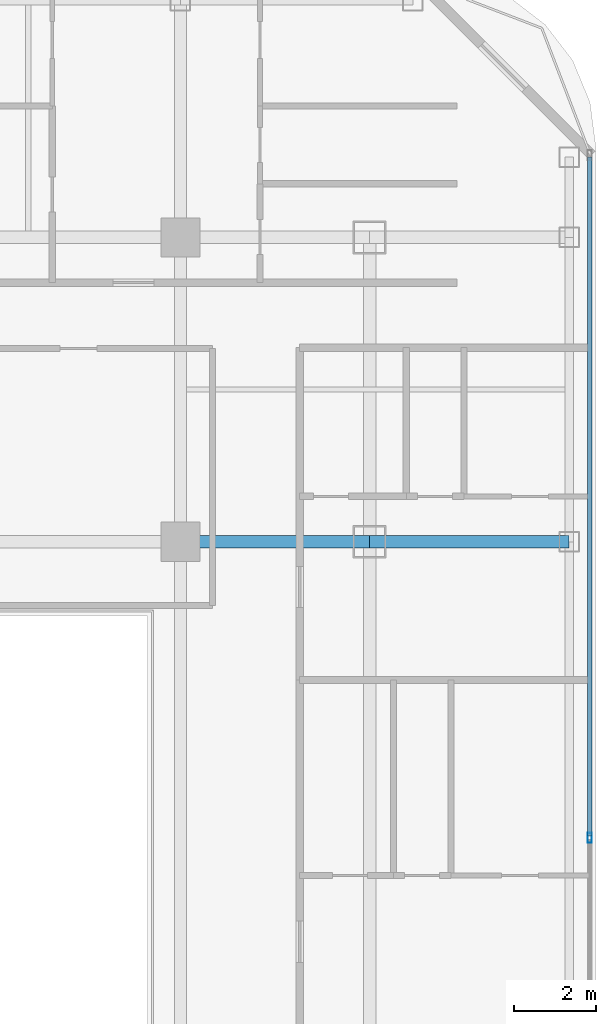
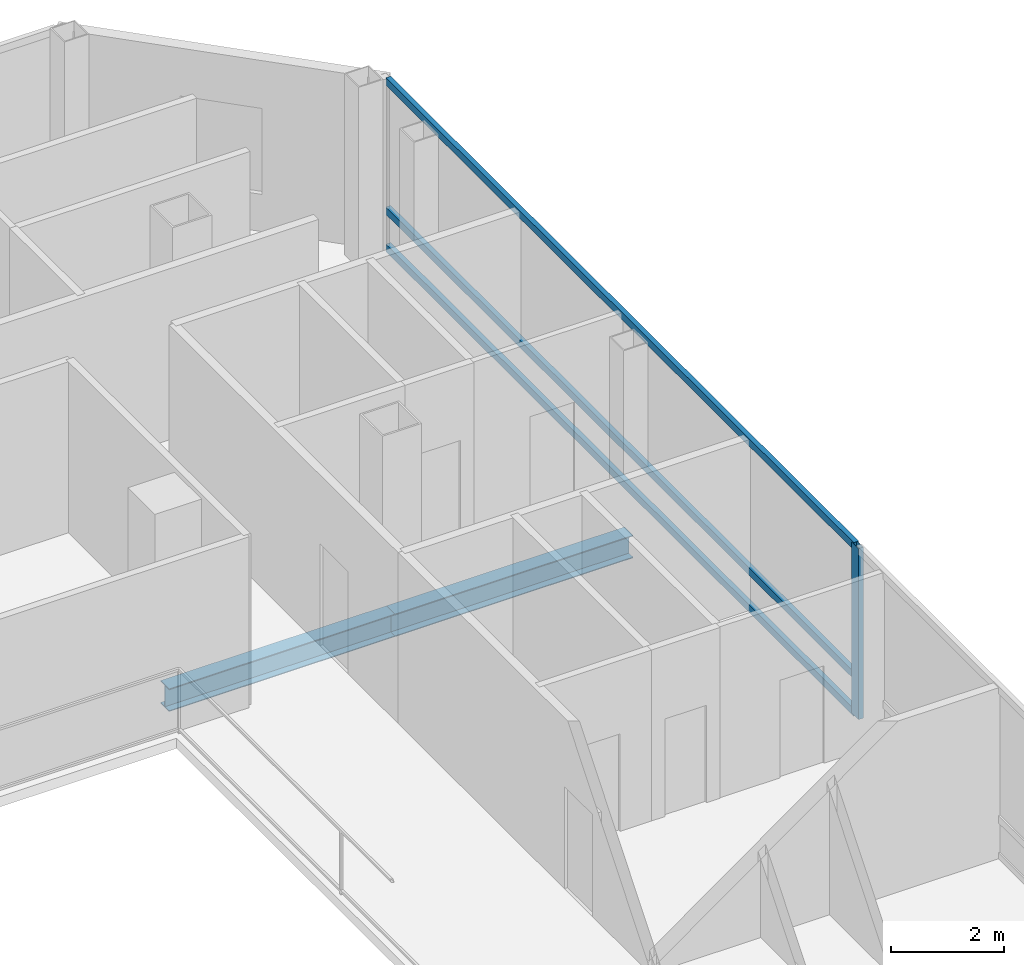
# One storey, part 10 of 24: 4 members, 2 beams, 1 element without a shape of its own.
"""IFC4 building model written with IfcOpenShell, lengths in metres."""

from ifc_helpers import new_model, si_unit, direction, frame, origin, origin_2d, place, context, subcontext, project, spatial, hollow_rectangle, i_section, extrude, material, layer, layer_set, material_profile, profile_set, type_object, element, aggregate, save


model = new_model("IFC4")

# Units and contexts
model_context = context("Model", 3, precision=1e-05, world=origin(), true_north=direction((0.0, 1.0)))
body_context = subcontext(model_context, "Body", "Model", "MODEL_VIEW")
ifc_project = project(units=[si_unit("LENGTHUNIT", "METRE"), si_unit("AREAUNIT", "SQUARE_METRE"), si_unit("VOLUMEUNIT", "CUBIC_METRE"), si_unit("PLANEANGLEUNIT", "RADIAN"), si_unit("MASSUNIT", "GRAM", prefix="KILO")], contexts=[model_context])

# Site, building, storey
site_placement = place(None, origin())
site = spatial("IfcSite", under=ifc_project, at=site_placement, CompositionType="ELEMENT")
building_placement = place(site_placement, origin())
building = spatial("IfcBuilding", under=site, at=building_placement, Name="Khorvyn Point Tower", CompositionType="ELEMENT")
storey_placement = place(building_placement, frame((0.0, 0.0, 266.39990234375)))
storey = spatial("IfcBuildingStorey", under=building, at=storey_placement, Name="L65", CompositionType="ELEMENT", Elevation=266.39990234375)

# Curtain wall, members
ifc_material_1 = material(Name="Anodised aluminium 6063-T6 and laminated Low-E glass", Category="aluminium")
ifc_layer = layer(ifc_material_1, 0.18994140625)
ifc_layer_set = layer_set([ifc_layer], Name="Stick-Built High-Wind Curtain Wall CW-SYS-04")
curtain_wall_type = type_object("IfcCurtainWallType", Name="Stick-Built High-Wind Curtain Wall CW-SYS-04", PredefinedType="NOTDEFINED", material=ifc_layer_set)
curtain_wall_placement = place(storey_placement, origin())
curtain_wall = element("IfcCurtainWall", 1, at=curtain_wall_placement, inside=storey, type_object=curtain_wall_type, Name="Curtain Wall", PredefinedType="NOTDEFINED")
ifc_material_2 = material(Name="Anodised aluminium 6063-T6", Category="aluminium")
ifc_material_profile_1 = material_profile(ifc_material_2, hollow_rectangle(XDim=0.10009765625, YDim=0.239990234375, WallThickness=0.0048828125, at=origin_2d()))
ifc_profile_set_1 = profile_set([ifc_material_profile_1], Name="Anodised aluminium 6063-T6 ALU-MUL-100x240")
member_type_1 = type_object("IfcMemberType", Name="Anodised Aluminium 6063-T6 Mullion ALU-MUL-100x240", PredefinedType="MULLION", material=ifc_profile_set_1)
member_1_placement = place(storey_placement, frame((24.75, 0.199951171875, 0.0), z_axis=(0.0, 0.0, 1.0), x_axis=(1.0, 0.0, 0.0)))
member_1 = element("IfcMember", 2, at=member_1_placement, type_object=member_type_1, Name="Transom", PredefinedType="MULLION", context=body_context, shape_type="SweptSolid", body=[
    extrude(hollow_rectangle(XDim=0.10009765625, YDim=0.239990234375, WallThickness=0.0048828125, at=origin_2d()), origin(), (0.0, 0.0, 1.0), 3.68017578125),
])
ifc_material_profile_2 = material_profile(ifc_material_2, hollow_rectangle(XDim=0.10009765625, YDim=0.159912109375, WallThickness=0.00439453125, at=origin_2d()))
ifc_profile_set_2 = profile_set([ifc_material_profile_2], Name="Anodised aluminium 6063-T6 ALU-TRN-100x160")
member_type_2 = type_object("IfcMemberType", Name="Anodised Aluminium 6063-T6 Transom ALU-TRN-100x160", PredefinedType="USERDEFINED", material=ifc_profile_set_2)
member_2_placement = place(storey_placement, frame((24.75, 16.75, 0.050048828125), z_axis=(0.0, -1.0, 0.0), x_axis=(1.0, 0.0, 0.0)))
member_2 = element("IfcMember", 3, at=member_2_placement, type_object=member_type_2, Name="Transom", ObjectType="TRANSOM", PredefinedType="USERDEFINED", context=body_context, shape_type="SweptSolid", body=[
    extrude(hollow_rectangle(XDim=0.10009765625, YDim=0.159912109375, WallThickness=0.00439453125, at=origin_2d()), origin(), (0.0, 0.0, 1.0), 16.5),
])
member_3_placement = place(storey_placement, frame((24.75, 16.75, 0.85009765625), z_axis=(0.0, -1.0, 0.0), x_axis=(1.0, 0.0, 0.0)))
member_3 = element("IfcMember", 4, at=member_3_placement, type_object=member_type_2, Name="Transom", ObjectType="TRANSOM", PredefinedType="USERDEFINED", context=body_context, shape_type="SweptSolid", body=[
    extrude(hollow_rectangle(XDim=0.10009765625, YDim=0.159912109375, WallThickness=0.00439453125, at=origin_2d()), origin(), (0.0, 0.0, 1.0), 16.5),
])
member_4_placement = place(storey_placement, frame((24.75, 16.75, 3.630126953125), z_axis=(0.0, -1.0, 0.0), x_axis=(1.0, 0.0, 0.0)))
member_4 = element("IfcMember", 5, at=member_4_placement, type_object=member_type_2, Name="Transom", ObjectType="TRANSOM", PredefinedType="USERDEFINED", context=body_context, shape_type="SweptSolid", body=[
    extrude(hollow_rectangle(XDim=0.10009765625, YDim=0.159912109375, WallThickness=0.00439453125, at=origin_2d()), origin(), (0.0, 0.0, 1.0), 16.5),
])
aggregate(curtain_wall, [member_1, member_2, member_3, member_4])

# Beams
ifc_material_3 = material(Name="Steel S355", Category="steel")
ifc_material_profile_3 = material_profile(ifc_material_3, i_section(OverallWidth=0.300048828125, OverallDepth=0.488037109375, WebThickness=0.010986328125, FlangeThickness=0.01806640625, at=origin_2d()))
ifc_profile_set_3 = profile_set([ifc_material_profile_3], Name="Steel S355 H488x300x11x18")
beam_type = type_object("IfcBeamType", Name="Steel S355 Spandrel H488x300x11x18", PredefinedType="SPANDREL", material=ifc_profile_set_3)
beam_1_placement = place(storey_placement, frame((14.800048828125, 7.39990234375, -0.4638671875), z_axis=(1.0, 0.0, 0.0), x_axis=(0.0, 1.0, 0.0)))
element("IfcBeam", 6, at=beam_1_placement, inside=storey, type_object=beam_type, Name="Beam", PredefinedType="SPANDREL", context=body_context, shape_type="SweptSolid", body=[
    extrude(i_section(OverallWidth=0.300048828125, OverallDepth=0.488037109375, WebThickness=0.010986328125, FlangeThickness=0.01806640625, at=origin_2d()), origin(), (0.0, 0.0, 1.0), 4.599853515625),
])
beam_2_placement = place(storey_placement, frame((19.39990234375, 7.39990234375, -0.4638671875), z_axis=(1.0, 0.0, 0.0), x_axis=(0.0, 1.0, 0.0)))
element("IfcBeam", 7, at=beam_2_placement, inside=storey, type_object=beam_type, Name="Beam", PredefinedType="SPANDREL", context=body_context, shape_type="SweptSolid", body=[
    extrude(i_section(OverallWidth=0.300048828125, OverallDepth=0.488037109375, WebThickness=0.010986328125, FlangeThickness=0.01806640625, at=origin_2d()), origin(), (0.0, 0.0, 1.0), 4.85009765625),
])

save(model, "model.ifc")
